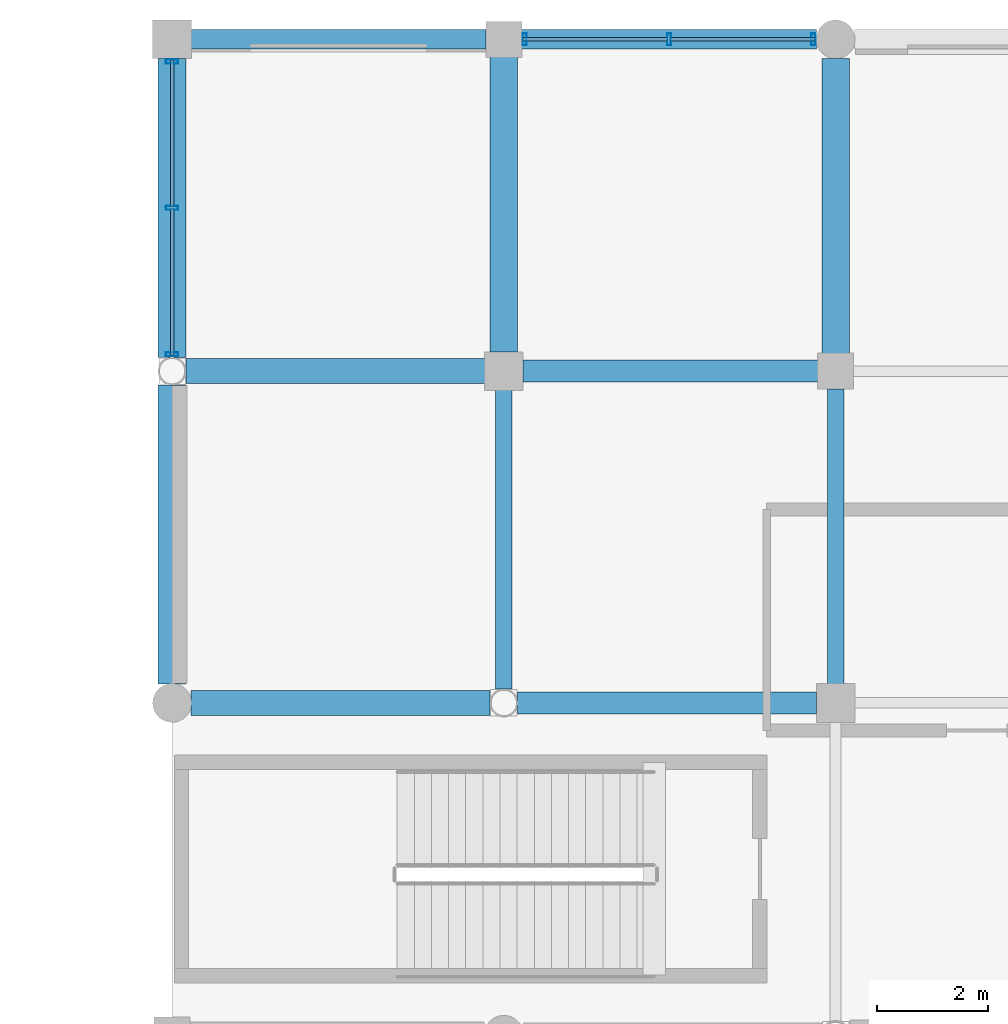
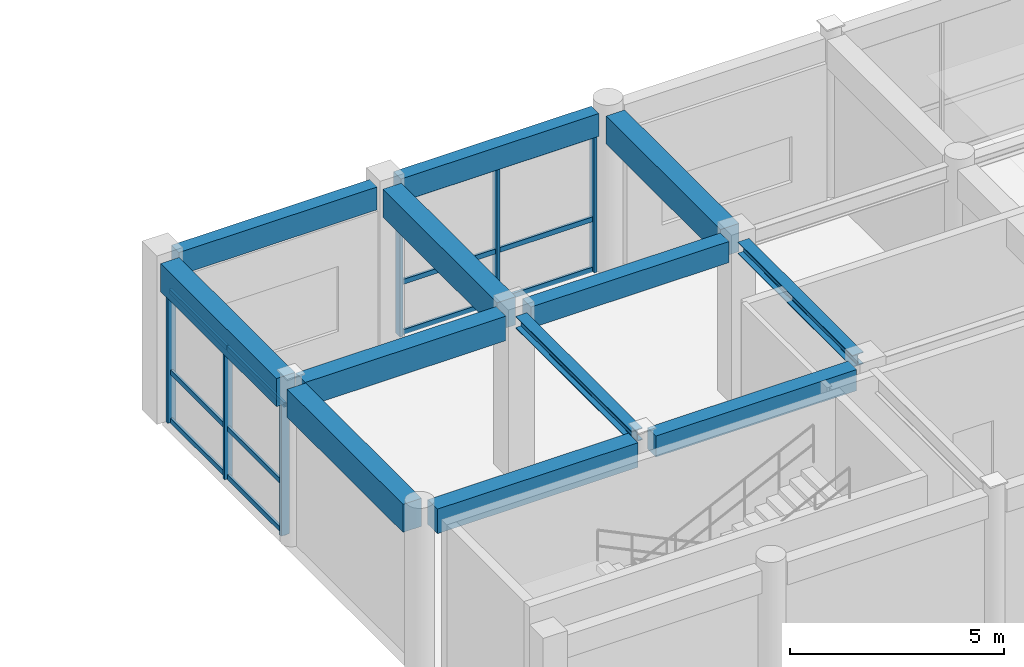
# One storey, part 47 of 112: 18 members, 12 beams, 2 elements without a shape of their own.
"""IFC4 building model written with IfcOpenShell, lengths in metres."""

from ifc_helpers import new_model, si_unit, direction, frame, origin, origin_2d, place, context, subcontext, project, spatial, rectangle, hollow_rectangle, i_section, extrude, material, material_profile, profile_set, type_object, element, aggregate, save


model = new_model("IFC4")

# Units and contexts
model_context = context("Model", 3, precision=1e-05, world=origin(), true_north=direction((0.0, 1.0)))
body_context = subcontext(model_context, "Body", "Model", "MODEL_VIEW")
ifc_project = project(units=[si_unit("LENGTHUNIT", "METRE"), si_unit("AREAUNIT", "SQUARE_METRE"), si_unit("VOLUMEUNIT", "CUBIC_METRE"), si_unit("PLANEANGLEUNIT", "RADIAN"), si_unit("MASSUNIT", "GRAM", prefix="KILO"), si_unit("THERMODYNAMICTEMPERATUREUNIT", "KELVIN"), si_unit("POWERUNIT", "WATT")], contexts=[model_context])

# Site, building, storey
site_placement = place(None, origin())
site = spatial("IfcSite", under=ifc_project, at=site_placement, CompositionType="ELEMENT")
building_placement = place(site_placement, origin())
building = spatial("IfcBuilding", under=site, at=building_placement, Name="Phaisarnlok Congress Hotel", CompositionType="ELEMENT")
storey_placement = place(building_placement, frame((0.0, 0.0, 19.800048828125)))
storey = spatial("IfcBuildingStorey", under=building, at=storey_placement, Name="L04", CompositionType="ELEMENT", Elevation=19.800048828125)

# Beams
ifc_material_1 = material(Name="Concrete C40/50", Category="concrete")
ifc_material_profile_1 = material_profile(ifc_material_1, rectangle(XDim=0.39990234375, YDim=0.60009765625, at=origin_2d()), Name="RC 400x600")
ifc_profile_set_1 = profile_set([ifc_material_profile_1], Name="Concrete C40/50")
beam_type_1 = type_object("IfcBeamType", Name="BM-RC-400x600", PredefinedType="BEAM", material=ifc_profile_set_1)
beam_1_placement = place(storey_placement, frame((72.2490234375, 114.0, 4.25), z_axis=(1.0, 0.0, 0.0), x_axis=(0.0, 1.0, 0.0)))
element("IfcBeam", 1, at=beam_1_placement, inside=storey, type_object=beam_type_1, Name="Beam B-02", PredefinedType="BEAM", context=body_context, shape_type="SweptSolid", body=[
    extrude(rectangle(XDim=0.39990234375, YDim=0.60009765625, at=origin_2d()), origin(), (0.0, 0.0, 1.0), 5.406005859375),
])
beam_2_placement = place(storey_placement, frame((72.344970703125, 120.0, 4.25), z_axis=(1.0, 0.0, 0.0), x_axis=(0.0, 1.0, 0.0)))
element("IfcBeam", 2, at=beam_2_placement, inside=storey, type_object=beam_type_1, Name="Beam B-02", PredefinedType="BEAM", context=body_context, shape_type="SweptSolid", body=[
    extrude(rectangle(XDim=0.39990234375, YDim=0.60009765625, at=origin_2d()), origin(), (0.0, 0.0, 1.0), 5.3349609375),
])
ifc_material_profile_2 = material_profile(ifc_material_1, rectangle(XDim=0.449951171875, YDim=0.699951171875, at=origin_2d()), Name="RC 450x700")
ifc_profile_set_2 = profile_set([ifc_material_profile_2], Name="Concrete C40/50")
beam_type_2 = type_object("IfcBeamType", Name="BM-RC-450x700", PredefinedType="BEAM", material=ifc_profile_set_2)
for number, where, z_axis, x_axis, name in (
    (3, (66.344970703125, 114.0, 4.199951171875), (1.0, 0.0, 0.0), (0.0, 1.0, 0.0), "Beam B-03"),
    (4, (66.2490234375, 120.0, 4.199951171875), (1.0, 0.0, 0.0), (0.0, 1.0, 0.0), "Beam B-03"),
):
    element("IfcBeam", number, at=place(storey_placement, frame(where, z_axis=z_axis, x_axis=x_axis)), inside=storey, type_object=beam_type_2, Name=name, PredefinedType="BEAM", context=body_context, shape_type="SweptSolid", body=[
        extrude(rectangle(XDim=0.449951171875, YDim=0.699951171875, at=origin_2d()), origin(), (0.0, 0.0, 1.0), 5.406005859375),
    ])
ifc_material_profile_3 = material_profile(ifc_material_1, rectangle(XDim=0.5, YDim=0.800048828125, at=origin_2d()), Name="RC 500x800")
ifc_profile_set_3 = profile_set([ifc_material_profile_3], Name="Concrete C40/50")
beam_type_3 = type_object("IfcBeamType", Name="BM-RC-500x800", PredefinedType="BEAM", material=ifc_profile_set_3)
for number, where, z_axis, x_axis, name in (
    (5, (72.0, 120.344970703125, 4.14990234375), (0.0, 1.0, 0.0), (-1.0, 0.0, 0.0), "Beam B-04"),
    (6, (78.0, 120.320068359375, 4.14990234375), (0.0, 1.0, 0.0), (-1.0, 0.0, 0.0), "Beam B-04"),
):
    element("IfcBeam", number, at=place(storey_placement, frame(where, z_axis=z_axis, x_axis=x_axis)), inside=storey, type_object=beam_type_3, Name=name, PredefinedType="BEAM", context=body_context, shape_type="SweptSolid", body=[
        extrude(rectangle(XDim=0.5, YDim=0.800048828125, at=origin_2d()), origin(), (0.0, 0.0, 1.0), 5.3349609375),
    ])
ifc_material_2 = material(Name="Steel S355", Category="steel")
ifc_material_profile_4 = material_profile(ifc_material_2, i_section(OverallWidth=0.300048828125, OverallDepth=0.340087890625, WebThickness=0.011962890625, FlangeThickness=0.021484375, FilletRadius=0.027099609375, at=origin_2d()), Name="HEB 340")
ifc_profile_set_4 = profile_set([ifc_material_profile_4], Name="Steel S355")
beam_type_4 = type_object("IfcBeamType", Name="BM-STL-HEB340", PredefinedType="BEAM", material=ifc_profile_set_4)
beam_3_placement = place(storey_placement, frame((72.0, 114.2490234375, 4.3798828125), z_axis=(0.0, 1.0, 0.0), x_axis=(-1.0, 0.0, 0.0)))
element("IfcBeam", 7, at=beam_3_placement, inside=storey, type_object=beam_type_4, Name="Beam SB-07", PredefinedType="BEAM", context=body_context, shape_type="SweptSolid", body=[
    extrude(i_section(OverallWidth=0.300048828125, OverallDepth=0.340087890625, WebThickness=0.011962890625, FlangeThickness=0.021484375, FilletRadius=0.027099609375, at=origin_2d()), origin(), (0.0, 0.0, 1.0), 5.406005859375),
])
beam_4_placement = place(storey_placement, frame((78.0, 114.344970703125, 4.3798828125), z_axis=(0.0, 1.0, 0.0), x_axis=(-1.0, 0.0, 0.0)))
element("IfcBeam", 8, at=beam_4_placement, inside=storey, type_object=beam_type_4, Name="Beam SB-07", PredefinedType="BEAM", context=body_context, shape_type="SweptSolid", body=[
    extrude(i_section(OverallWidth=0.300048828125, OverallDepth=0.340087890625, WebThickness=0.011962890625, FlangeThickness=0.021484375, FilletRadius=0.027099609375, at=origin_2d()), origin(), (0.0, 0.0, 1.0), 5.3349609375),
])

# Curtain wall, members
ifc_material_3 = material(Name="Thermally Broken Unitised Aluminium & Low-E Glazing", Category="aluminium")
curtain_wall_type_1 = type_object("IfcCurtainWallType", Name="CW-UNIT-33", PredefinedType="NOTDEFINED", material=ifc_material_3)
curtain_wall_1_placement = place(storey_placement, origin())
curtain_wall_1 = element("IfcCurtainWall", 9, at=curtain_wall_1_placement, inside=storey, type_object=curtain_wall_type_1, Name="Unitised curtain wall CW-33 (L04)", PredefinedType="NOTDEFINED")
ifc_material_4 = material(Name="Anodised Aluminium Alloy 6063-T6", Category="aluminium")
ifc_material_profile_5 = material_profile(ifc_material_4, hollow_rectangle(XDim=0.074951171875, YDim=0.219970703125, WallThickness=0.0048828125, at=origin_2d()), Name="ALU-M 75x220x5")
ifc_profile_set_5 = profile_set([ifc_material_profile_5], Name="Anodised Aluminium Alloy 6063-T6")
member_type_1 = type_object("IfcMemberType", Name="CWM-220", PredefinedType="MULLION", material=ifc_profile_set_5)
member_1_placement = place(storey_placement, frame((77.60009765625, 126.0, 0.0), z_axis=(0.0, 0.0, 1.0), x_axis=(-1.0, 0.0, 0.0)))
member_1 = element("IfcMember", 10, at=member_1_placement, type_object=member_type_1, Name="Curtain wall mullion CWM-02", PredefinedType="MULLION", context=body_context, shape_type="SweptSolid", body=[
    extrude(hollow_rectangle(XDim=0.074951171875, YDim=0.219970703125, WallThickness=0.0048828125, at=origin_2d()), origin(), (0.0, 0.0, 1.0), 3.89990234375),
])
member_2_placement = place(storey_placement, frame((74.987548828125, 126.0, 0.0), z_axis=(0.0, 0.0, 1.0), x_axis=(-1.0, 0.0, 0.0)))
member_2 = element("IfcMember", 11, at=member_2_placement, type_object=member_type_1, Name="Curtain wall mullion CWM-02", PredefinedType="MULLION", context=body_context, shape_type="SweptSolid", body=[
    extrude(hollow_rectangle(XDim=0.074951171875, YDim=0.219970703125, WallThickness=0.0048828125, at=origin_2d()), origin(), (0.0, 0.0, 1.0), 3.89990234375),
])
member_3_placement = place(storey_placement, frame((72.375, 126.0, 0.0), z_axis=(0.0, 0.0, 1.0), x_axis=(-1.0, 0.0, 0.0)))
member_3 = element("IfcMember", 12, at=member_3_placement, type_object=member_type_1, Name="Curtain wall mullion CWM-02", PredefinedType="MULLION", context=body_context, shape_type="SweptSolid", body=[
    extrude(hollow_rectangle(XDim=0.074951171875, YDim=0.219970703125, WallThickness=0.0048828125, at=origin_2d()), origin(), (0.0, 0.0, 1.0), 3.89990234375),
])

curtain_wall_type_2 = type_object("IfcCurtainWallType", Name="CW-UNIT-37", PredefinedType="NOTDEFINED", material=ifc_material_3)
curtain_wall_2_placement = place(storey_placement, origin())
curtain_wall_2 = element("IfcCurtainWall", 13, at=curtain_wall_2_placement, inside=storey, type_object=curtain_wall_type_2, Name="Unitised curtain wall CW-37 (L04)", PredefinedType="NOTDEFINED")
member_4_placement = place(storey_placement, frame((66.0, 125.60009765625, 0.0), z_axis=(0.0, 0.0, 1.0), x_axis=(0.0, -1.0, 0.0)))
member_4 = element("IfcMember", 14, at=member_4_placement, type_object=member_type_1, Name="Curtain wall mullion CWM-02", PredefinedType="MULLION", context=body_context, shape_type="SweptSolid", body=[
    extrude(hollow_rectangle(XDim=0.074951171875, YDim=0.219970703125, WallThickness=0.0048828125, at=origin_2d()), origin(), (0.0, 0.0, 1.0), 3.75),
])
member_5_placement = place(storey_placement, frame((66.0, 122.951904296875, 0.0), z_axis=(0.0, 0.0, 1.0), x_axis=(0.0, -1.0, 0.0)))
member_5 = element("IfcMember", 15, at=member_5_placement, type_object=member_type_1, Name="Curtain wall mullion CWM-02", PredefinedType="MULLION", context=body_context, shape_type="SweptSolid", body=[
    extrude(hollow_rectangle(XDim=0.074951171875, YDim=0.219970703125, WallThickness=0.0048828125, at=origin_2d()), origin(), (0.0, 0.0, 1.0), 3.75),
])
member_6_placement = place(storey_placement, frame((66.0, 120.303955078125, 0.0), z_axis=(0.0, 0.0, 1.0), x_axis=(0.0, -1.0, 0.0)))
member_6 = element("IfcMember", 16, at=member_6_placement, type_object=member_type_1, Name="Curtain wall mullion CWM-02", PredefinedType="MULLION", context=body_context, shape_type="SweptSolid", body=[
    extrude(hollow_rectangle(XDim=0.074951171875, YDim=0.219970703125, WallThickness=0.0048828125, at=origin_2d()), origin(), (0.0, 0.0, 1.0), 3.75),
])

# Member
ifc_material_profile_6 = material_profile(ifc_material_4, hollow_rectangle(XDim=0.06494140625, YDim=0.139892578125, WallThickness=0.00390625, at=origin_2d()), Name="ALU-T 65x140x4")
ifc_profile_set_6 = profile_set([ifc_material_profile_6], Name="Anodised Aluminium Alloy 6063-T6")
member_type_2 = type_object("IfcMemberType", Name="CWT-150", PredefinedType="USERDEFINED", material=ifc_profile_set_6)
member_7_placement = place(storey_placement, frame((77.625, 126.0, 0.050048828125), z_axis=(-1.0, 0.0, 0.0), x_axis=(0.0, -1.0, 0.0)))
member_7 = element("IfcMember", 17, at=member_7_placement, type_object=member_type_2, Name="Curtain wall transom CWT-01", ObjectType="TRANSOM", PredefinedType="USERDEFINED", context=body_context, shape_type="SweptSolid", body=[
    extrude(hollow_rectangle(XDim=0.06494140625, YDim=0.139892578125, WallThickness=0.00390625, at=origin_2d()), origin(), (0.0, 0.0, 1.0), 2.62255859375),
])

member_8_placement = place(storey_placement, frame((77.625, 126.0, 1.48193359375), z_axis=(-1.0, 0.0, 0.0), x_axis=(0.0, -1.0, 0.0)))
member_8 = element("IfcMember", 18, at=member_8_placement, type_object=member_type_2, Name="Curtain wall transom CWT-01", ObjectType="TRANSOM", PredefinedType="USERDEFINED", context=body_context, shape_type="SweptSolid", body=[
    extrude(hollow_rectangle(XDim=0.06494140625, YDim=0.139892578125, WallThickness=0.00390625, at=origin_2d()), origin(), (0.0, 0.0, 1.0), 2.62255859375),
])

member_9_placement = place(storey_placement, frame((77.625, 126.0, 3.849853515625), z_axis=(-1.0, 0.0, 0.0), x_axis=(0.0, -1.0, 0.0)))
member_9 = element("IfcMember", 19, at=member_9_placement, type_object=member_type_2, Name="Curtain wall transom CWT-01", ObjectType="TRANSOM", PredefinedType="USERDEFINED", context=body_context, shape_type="SweptSolid", body=[
    extrude(hollow_rectangle(XDim=0.06494140625, YDim=0.139892578125, WallThickness=0.00390625, at=origin_2d()), origin(), (0.0, 0.0, 1.0), 2.62255859375),
])

member_10_placement = place(storey_placement, frame((74.972412109375, 126.0, 0.050048828125), z_axis=(-1.0, 0.0, 0.0), x_axis=(0.0, -1.0, 0.0)))
member_10 = element("IfcMember", 20, at=member_10_placement, type_object=member_type_2, Name="Curtain wall transom CWT-01", ObjectType="TRANSOM", PredefinedType="USERDEFINED", context=body_context, shape_type="SweptSolid", body=[
    extrude(hollow_rectangle(XDim=0.06494140625, YDim=0.139892578125, WallThickness=0.00390625, at=origin_2d()), origin(), (0.0, 0.0, 1.0), 2.622314453125),
])

member_11_placement = place(storey_placement, frame((74.972412109375, 126.0, 1.48193359375), z_axis=(-1.0, 0.0, 0.0), x_axis=(0.0, -1.0, 0.0)))
member_11 = element("IfcMember", 21, at=member_11_placement, type_object=member_type_2, Name="Curtain wall transom CWT-01", ObjectType="TRANSOM", PredefinedType="USERDEFINED", context=body_context, shape_type="SweptSolid", body=[
    extrude(hollow_rectangle(XDim=0.06494140625, YDim=0.139892578125, WallThickness=0.00390625, at=origin_2d()), origin(), (0.0, 0.0, 1.0), 2.622314453125),
])

member_12_placement = place(storey_placement, frame((74.972412109375, 126.0, 3.849853515625), z_axis=(-1.0, 0.0, 0.0), x_axis=(0.0, -1.0, 0.0)))
member_12 = element("IfcMember", 22, at=member_12_placement, type_object=member_type_2, Name="Curtain wall transom CWT-01", ObjectType="TRANSOM", PredefinedType="USERDEFINED", context=body_context, shape_type="SweptSolid", body=[
    extrude(hollow_rectangle(XDim=0.06494140625, YDim=0.139892578125, WallThickness=0.00390625, at=origin_2d()), origin(), (0.0, 0.0, 1.0), 2.622314453125),
])

aggregate(curtain_wall_1, [member_1, member_2, member_3, member_7, member_8, member_9, member_10, member_11, member_12])

member_13_placement = place(storey_placement, frame((66.0, 125.625, 0.050048828125), z_axis=(0.0, -1.0, 0.0), x_axis=(1.0, 0.0, 0.0)))
member_13 = element("IfcMember", 23, at=member_13_placement, type_object=member_type_2, Name="Curtain wall transom CWT-01", ObjectType="TRANSOM", PredefinedType="USERDEFINED", context=body_context, shape_type="SweptSolid", body=[
    extrude(hollow_rectangle(XDim=0.06494140625, YDim=0.139892578125, WallThickness=0.00390625, at=origin_2d()), origin(), (0.0, 0.0, 1.0), 2.657958984375),
])

member_14_placement = place(storey_placement, frame((66.0, 125.625, 1.425048828125), z_axis=(0.0, -1.0, 0.0), x_axis=(1.0, 0.0, 0.0)))
member_14 = element("IfcMember", 24, at=member_14_placement, type_object=member_type_2, Name="Curtain wall transom CWT-01", ObjectType="TRANSOM", PredefinedType="USERDEFINED", context=body_context, shape_type="SweptSolid", body=[
    extrude(hollow_rectangle(XDim=0.06494140625, YDim=0.139892578125, WallThickness=0.00390625, at=origin_2d()), origin(), (0.0, 0.0, 1.0), 2.657958984375),
])

member_15_placement = place(storey_placement, frame((66.0, 125.625, 3.699951171875), z_axis=(0.0, -1.0, 0.0), x_axis=(1.0, 0.0, 0.0)))
member_15 = element("IfcMember", 25, at=member_15_placement, type_object=member_type_2, Name="Curtain wall transom CWT-01", ObjectType="TRANSOM", PredefinedType="USERDEFINED", context=body_context, shape_type="SweptSolid", body=[
    extrude(hollow_rectangle(XDim=0.06494140625, YDim=0.139892578125, WallThickness=0.00390625, at=origin_2d()), origin(), (0.0, 0.0, 1.0), 2.657958984375),
])

member_16_placement = place(storey_placement, frame((66.0, 122.93701171875, 0.050048828125), z_axis=(0.0, -1.0, 0.0), x_axis=(1.0, 0.0, 0.0)))
member_16 = element("IfcMember", 26, at=member_16_placement, type_object=member_type_2, Name="Curtain wall transom CWT-01", ObjectType="TRANSOM", PredefinedType="USERDEFINED", context=body_context, shape_type="SweptSolid", body=[
    extrude(hollow_rectangle(XDim=0.06494140625, YDim=0.139892578125, WallThickness=0.00390625, at=origin_2d()), origin(), (0.0, 0.0, 1.0), 2.657958984375),
])

member_17_placement = place(storey_placement, frame((66.0, 122.93701171875, 1.425048828125), z_axis=(0.0, -1.0, 0.0), x_axis=(1.0, 0.0, 0.0)))
member_17 = element("IfcMember", 27, at=member_17_placement, type_object=member_type_2, Name="Curtain wall transom CWT-01", ObjectType="TRANSOM", PredefinedType="USERDEFINED", context=body_context, shape_type="SweptSolid", body=[
    extrude(hollow_rectangle(XDim=0.06494140625, YDim=0.139892578125, WallThickness=0.00390625, at=origin_2d()), origin(), (0.0, 0.0, 1.0), 2.657958984375),
])

member_18_placement = place(storey_placement, frame((66.0, 122.93701171875, 3.699951171875), z_axis=(0.0, -1.0, 0.0), x_axis=(1.0, 0.0, 0.0)))
member_18 = element("IfcMember", 28, at=member_18_placement, type_object=member_type_2, Name="Curtain wall transom CWT-01", ObjectType="TRANSOM", PredefinedType="USERDEFINED", context=body_context, shape_type="SweptSolid", body=[
    extrude(hollow_rectangle(XDim=0.06494140625, YDim=0.139892578125, WallThickness=0.00390625, at=origin_2d()), origin(), (0.0, 0.0, 1.0), 2.657958984375),
])

aggregate(curtain_wall_2, [member_4, member_5, member_6, member_13, member_14, member_15, member_16, member_17, member_18])

# Beams
ifc_material_profile_7 = material_profile(ifc_material_1, rectangle(XDim=0.35009765625, YDim=0.64990234375, at=origin_2d()), Name="RC 350x650")
ifc_profile_set_7 = profile_set([ifc_material_profile_7], Name="Concrete C40/50")
beam_type_5 = type_object("IfcBeamType", Name="SP-RC-350x650", PredefinedType="SPANDREL", material=ifc_profile_set_7)
for number, where, z_axis, x_axis, name in (
    (29, (66.344970703125, 126.0, 4.224853515625), (1.0, 0.0, 0.0), (0.0, 1.0, 0.0), "Beam SP-01"),
    (30, (72.320068359375, 126.0, 4.224853515625), (1.0, 0.0, 0.0), (0.0, 1.0, 0.0), "Beam SP-01"),
):
    element("IfcBeam", number, at=place(storey_placement, frame(where, z_axis=z_axis, x_axis=x_axis)), inside=storey, type_object=beam_type_5, Name=name, PredefinedType="SPANDREL", context=body_context, shape_type="SweptSolid", body=[
        extrude(rectangle(XDim=0.35009765625, YDim=0.64990234375, at=origin_2d()), origin(), (0.0, 0.0, 1.0), 5.3349609375),
    ])
ifc_material_profile_8 = material_profile(ifc_material_1, rectangle(XDim=0.5, YDim=0.800048828125, at=origin_2d()), Name="RC 500x800")
ifc_profile_set_8 = profile_set([ifc_material_profile_8], Name="Concrete C40/50")
beam_type_6 = type_object("IfcBeamType", Name="SP-RC-500x800", PredefinedType="SPANDREL", material=ifc_profile_set_8)
for number, where, z_axis, x_axis, name in (
    (31, (66.0, 114.344970703125, 4.14990234375), (0.0, 1.0, 0.0), (-1.0, 0.0, 0.0), "Beam SP-04"),
    (32, (66.0, 120.2490234375, 4.14990234375), (0.0, 1.0, 0.0), (-1.0, 0.0, 0.0), "Beam SP-04"),
):
    element("IfcBeam", number, at=place(storey_placement, frame(where, z_axis=z_axis, x_axis=x_axis)), inside=storey, type_object=beam_type_6, Name=name, PredefinedType="SPANDREL", context=body_context, shape_type="SweptSolid", body=[
        extrude(rectangle(XDim=0.5, YDim=0.800048828125, at=origin_2d()), origin(), (0.0, 0.0, 1.0), 5.406005859375),
    ])

save(model, "model.ifc")
